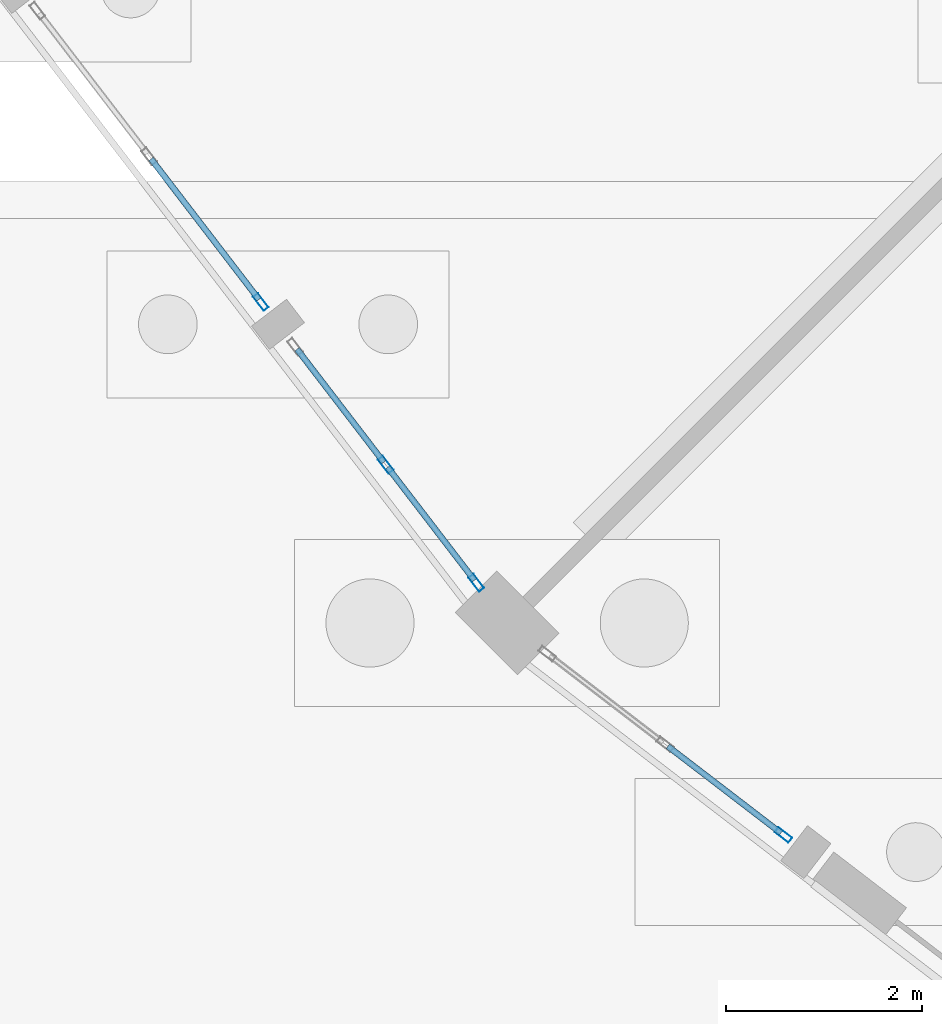
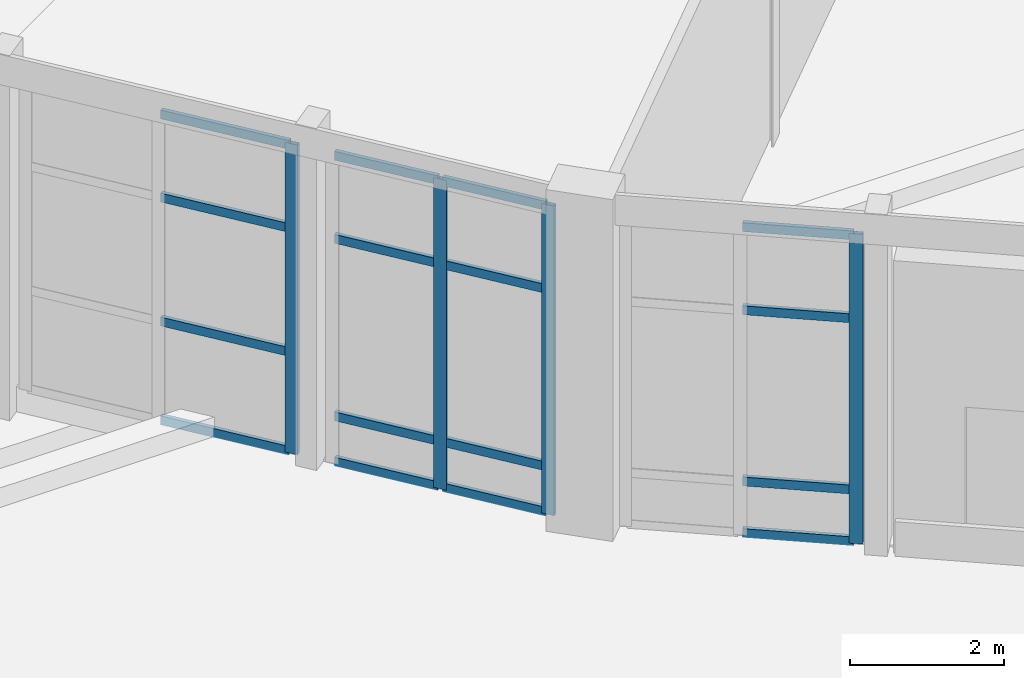
# One storey, part 35 of 137: 20 members, 3 elements without a shape of their own.
"""IFC4 building model written with IfcOpenShell, lengths in metres."""

import ifcopenshell
import ifcopenshell.guid

model = None  # the IFC model being written
_history = None  # IfcOwnerHistory: only IFC2X3 demands one
_inside = {}  # id of a spatial element -> (the spatial element, [elements in it])
_under = {}  # id of a project, library or spatial element -> (it, [spatial elements below it])
_declared = {}  # id of a project -> (the project, [libraries it declares])
_typed = {}  # id of a type object -> (the type object, [elements of that type])
_made_of = {}  # id of a material, layer set ... -> (it, [elements and type objects made of it])


def new_model(schema):
    """Start an empty IFC model of exactly this schema.

    Asked for "IFC4X3", IfcOpenShell would pick the latest addendum, in which some entities
    have other attributes; the version numbers below select the first issue.
    IFC2X3 requires an IfcOwnerHistory on every rooted entity: one is made here for all.
    """
    global model, _history
    if schema == "IFC4X3":
        model = ifcopenshell.file(schema_version=(4, 3, 0, 0))
    else:
        model = ifcopenshell.file(schema=schema)
    _inside.clear()
    _under.clear()
    _declared.clear()
    _typed.clear()
    _made_of.clear()
    _history = None
    if model.schema == "IFC2X3":
        org = make("IfcOrganization", Name="unknown")
        user = make(
            "IfcPersonAndOrganization",
            ThePerson=make("IfcPerson", FamilyName="unknown"),
            TheOrganization=org,
        )
        app = make(
            "IfcApplication",
            ApplicationDeveloper=org,
            Version="unknown",
            ApplicationFullName="unknown",
            ApplicationIdentifier="unknown",
        )
        _history = make(
            "IfcOwnerHistory",
            OwningUser=user,
            OwningApplication=app,
            ChangeAction="ADDED",
            CreationDate=0,
        )
    return model


def make(cls, **values):
    """One entity of the class cls with the attributes given. An attribute that is None is left unset."""
    return model.create_entity(
        cls, **{name: value for name, value in values.items() if value is not None}
    )


def rooted(cls, **values):
    """An entity with a GlobalId (a new one), such as an element, a storey or a relation."""
    return make(cls, GlobalId=ifcopenshell.guid.new(), OwnerHistory=_history, **values)


def si_unit(unit_type, name, prefix=None):
    """IfcSIUnit, for example si_unit("LENGTHUNIT", "METRE", prefix="MILLI")."""
    return make("IfcSIUnit", UnitType=unit_type, Prefix=prefix, Name=name)


def assignment(units):
    """IfcUnitAssignment: the units of a project."""
    return None if units is None else make("IfcUnitAssignment", Units=units)


def point(xyz):
    """IfcCartesianPoint."""
    return None if xyz is None else make("IfcCartesianPoint", Coordinates=xyz)


def direction(xyz):
    """IfcDirection."""
    return None if xyz is None else make("IfcDirection", DirectionRatios=xyz)


def frame(location, z_axis=None, x_axis=None):
    """IfcAxis2Placement3D, a coordinate frame: its origin and axes. An axis left out is left unset."""
    return make(
        "IfcAxis2Placement3D",
        Location=point(location),
        Axis=direction(z_axis),
        RefDirection=direction(x_axis),
    )


def frame_2d(location, x_axis=None):
    """IfcAxis2Placement2D, a coordinate frame in the plane: its origin and x axis."""
    return make(
        "IfcAxis2Placement2D", Location=point(location), RefDirection=direction(x_axis)
    )


def origin():
    """The frame at (0, 0, 0) with its axes left unset."""
    return frame((0.0, 0.0, 0.0))


def origin_2d():
    """The frame at (0, 0) in the plane with its x axis left unset."""
    return frame_2d((0.0, 0.0))


def place(relative_to, where):
    """IfcLocalPlacement: puts the frame where relative to a parent placement (None: the world)."""
    return make(
        "IfcLocalPlacement", PlacementRelTo=relative_to, RelativePlacement=where
    )


def context(
    kind, dimensions, precision=None, world=None, true_north=None, identifier=None
):
    """IfcGeometricRepresentationContext, for example the 3D "Model" context."""
    return make(
        "IfcGeometricRepresentationContext",
        ContextIdentifier=identifier,
        ContextType=kind,
        CoordinateSpaceDimension=dimensions,
        Precision=precision,
        WorldCoordinateSystem=world,
        TrueNorth=true_north,
    )


def subcontext(parent, identifier, kind, view, scale=None):
    """IfcGeometricRepresentationSubContext, for example "Body" below "Model"."""
    return make(
        "IfcGeometricRepresentationSubContext",
        ContextIdentifier=identifier,
        ContextType=kind,
        ParentContext=parent,
        TargetScale=scale,
        TargetView=view,
    )


def project(units=None, contexts=None):
    """IfcProject with its units and contexts."""
    return rooted(
        "IfcProject",
        Name="project",
        RepresentationContexts=contexts,
        UnitsInContext=assignment(units),
    )


def spatial(cls, under=None, at=None, **own):
    """A site, building, storey or space (cls), placed at a placement, below another one or the project."""
    s = rooted(cls, ObjectPlacement=at, **own)
    if under is not None:
        _under.setdefault(under.id(), (under, []))[1].append(s)
    return s


def profile(cls, at=None, kind="AREA", **sizes):
    """A parametric profile (cls). Its sizes go by their IFC names, for example OverallWidth=200.0."""
    return make(cls, ProfileType=kind, Position=at, **sizes)


def hollow_rectangle(**sizes):
    """IfcRectangleHollowProfileDef."""
    return profile("IfcRectangleHollowProfileDef", **sizes)


def extrude(swept, where, along, depth):
    """IfcExtrudedAreaSolid: the profile swept, set in the frame where, extruded along a direction by depth."""
    return make(
        "IfcExtrudedAreaSolid",
        SweptArea=swept,
        Position=where,
        ExtrudedDirection=direction(along),
        Depth=depth,
    )


def shape(context_of_items, identifier, shape_type, items):
    """IfcShapeRepresentation: the items that make up one representation, for example the "Body"."""
    return make(
        "IfcShapeRepresentation",
        ContextOfItems=context_of_items,
        RepresentationIdentifier=identifier,
        RepresentationType=shape_type,
        Items=items,
    )


def material(Name=None, Category=None):
    """IfcMaterial."""
    return make("IfcMaterial", Name=Name, Category=Category)


def material_profile(
    of_material, cross_section, Name=None, Category=None, Priority=None
):
    """IfcMaterialProfile: a cross section and its material."""
    return make(
        "IfcMaterialProfile",
        Name=Name,
        Material=of_material,
        Profile=cross_section,
        Priority=Priority,
        Category=Category,
    )


def profile_set(profiles, Name=None, composite=None):
    """IfcMaterialProfileSet."""
    return make(
        "IfcMaterialProfileSet",
        Name=Name,
        MaterialProfiles=profiles,
        CompositeProfile=composite,
    )


def made_of(thing, what):
    """Note that an element or type object is made of a material, layer set ...; save() writes the relation."""
    if what is not None:
        _made_of.setdefault(what.id(), (what, []))[1].append(thing)
    return thing


def type_object(cls, material=None, **own):
    """A type object (cls), such as IfcWallType, which elements share."""
    return made_of(rooted(cls, **own), material)


def element(
    cls,
    number,
    at=None,
    inside=None,
    cuts=None,
    type_object=None,
    material=None,
    context=None,
    identifier="Body",
    shape_type=None,
    held_by="IfcProductDefinitionShape",
    body=None,
    shapes=None,
    **own,
):
    """One element of the class cls, such as IfcWall. Its Tag is "e" and its number.

    at: its placement. inside: the storey or other place that contains it. cuts: it is an
    opening in that element (IfcRelVoidsElement). A single representation is given by context,
    identifier, shape_type and body (its items); several are given by shapes. held_by: the class
    of the entity that holds the representations. save() writes the other relations.
    """
    e = rooted(cls, Tag="e%d" % number, ObjectPlacement=at, **own)
    if body is not None:
        shapes = [shape(context, identifier, shape_type, body)]
    if shapes is not None:
        e.Representation = make(held_by, Representations=shapes)
    if inside is not None:
        _inside.setdefault(inside.id(), (inside, []))[1].append(e)
    if cuts is not None:
        rooted(
            "IfcRelVoidsElement", RelatingBuildingElement=cuts, RelatedOpeningElement=e
        )
    if type_object is not None:
        _typed.setdefault(type_object.id(), (type_object, []))[1].append(e)
    return made_of(e, material)


def aggregate(whole, parts):
    """IfcRelAggregates: a whole, such as a stair, and the parts it consists of."""
    return rooted("IfcRelAggregates", RelatingObject=whole, RelatedObjects=parts)


def save(model, path):
    """Write the relations noted so far, then the file.

    IfcRelAggregates (storeys below a building ...), IfcRelContainedInSpatialStructure (elements
    in a storey), IfcRelDefinesByType, IfcRelAssociatesMaterial and IfcRelDeclares: one each for
    every whole, place, type object, material and project.
    """
    for whole, parts in _under.values():
        aggregate(whole, parts)
    for where, things in _inside.values():
        rooted(
            "IfcRelContainedInSpatialStructure",
            RelatedElements=things,
            RelatingStructure=where,
        )
    for kind, things in _typed.values():
        rooted("IfcRelDefinesByType", RelatedObjects=things, RelatingType=kind)
    for what, things in _made_of.values():
        rooted("IfcRelAssociatesMaterial", RelatedObjects=things, RelatingMaterial=what)
    for by, libraries in _declared.values():
        rooted("IfcRelDeclares", RelatingContext=by, RelatedDefinitions=libraries)
    model.write(path)


model = new_model("IFC4")

# Units and contexts
model_context = context("Model", 3, precision=1e-05, world=origin(), true_north=direction((0.0, 1.0)))
body_context = subcontext(model_context, "Body", "Model", "MODEL_VIEW")
ifc_project = project(units=[si_unit("LENGTHUNIT", "METRE"), si_unit("AREAUNIT", "SQUARE_METRE"), si_unit("VOLUMEUNIT", "CUBIC_METRE"), si_unit("PLANEANGLEUNIT", "RADIAN"), si_unit("MASSUNIT", "GRAM", prefix="KILO")], contexts=[model_context])

# Site, building, storey
site_placement = place(None, origin())
site = spatial("IfcSite", under=ifc_project, at=site_placement, CompositionType="ELEMENT")
building_placement = place(site_placement, origin())
building = spatial("IfcBuilding", under=site, at=building_placement, Name="Vondelvale Polytechnic", CompositionType="ELEMENT")
storey_placement = place(building_placement, origin())
storey = spatial("IfcBuildingStorey", under=building, at=storey_placement, Name="L00", CompositionType="ELEMENT", Elevation=0.0)

# Curtain wall, member
ifc_material_1 = material(Name="Glulam GL18 structural Tasmanian oak (fb = 42 MPa)", Category="wood")
curtain_wall_type = type_object("IfcCurtainWallType", Name="CW-RING-OUTER", PredefinedType="NOTDEFINED", material=ifc_material_1)
curtain_wall_1_placement = place(storey_placement, origin())
curtain_wall_1 = element("IfcCurtainWall", 1, at=curtain_wall_1_placement, inside=storey, type_object=curtain_wall_type, Name="L00 architectural curtain wall CW-04-296", PredefinedType="NOTDEFINED")
ifc_material_2 = material(Name="Anodised extruded aluminium 6063-T6", Category="aluminium")
ifc_material_profile_1 = material_profile(ifc_material_2, hollow_rectangle(XDim=0.06494140625, YDim=0.179931640625, WallThickness=0.00390625, at=origin_2d()), Name="CW-MUL-180x65")
ifc_profile_set_1 = profile_set([ifc_material_profile_1], Name="Anodised extruded aluminium 6063-T6")
member_type_1 = type_object("IfcMemberType", Name="CW-MUL-65x180", PredefinedType="MULLION", material=ifc_profile_set_1)
member_1_placement = place(storey_placement, frame((66.958740234375, 42.749755859375, 0.0), z_axis=(0.0, 0.0, 1.0), x_axis=(0.793345851043, 0.608771189063, 0.0)))
member_1 = element("IfcMember", 2, at=member_1_placement, type_object=member_type_1, Name="CW-04-296 mullion 3", PredefinedType="MULLION", context=body_context, shape_type="SweptSolid", body=[
    extrude(hollow_rectangle(XDim=0.06494140625, YDim=0.179931640625, WallThickness=0.00390625, at=origin_2d()), origin(), (0.0, 0.0, 1.0), 4.919921875),
])

# Curtain wall, members
curtain_wall_2_placement = place(storey_placement, origin())
curtain_wall_2 = element("IfcCurtainWall", 3, at=curtain_wall_2_placement, inside=storey, type_object=curtain_wall_type, Name="L00 architectural curtain wall CW-04-297", PredefinedType="NOTDEFINED")
member_2_placement = place(storey_placement, frame((68.233642578125, 41.088134765625, 0.0), z_axis=(0.0, 0.0, 1.0), x_axis=(0.793351666305, 0.608763610584, 0.0)))
member_2 = element("IfcMember", 4, at=member_2_placement, type_object=member_type_1, Name="CW-04-297 mullion 2", PredefinedType="MULLION", context=body_context, shape_type="SweptSolid", body=[
    extrude(hollow_rectangle(XDim=0.06494140625, YDim=0.179931640625, WallThickness=0.00390625, at=origin_2d()), origin(), (0.0, 0.0, 1.0), 4.919921875),
])
member_3_placement = place(storey_placement, frame((69.15869140625, 39.8828125, 0.0), z_axis=(0.0, 0.0, 1.0), x_axis=(0.793351666305, 0.608763610584, 0.0)))
member_3 = element("IfcMember", 5, at=member_3_placement, type_object=member_type_1, Name="CW-04-297 mullion 3", PredefinedType="MULLION", context=body_context, shape_type="SweptSolid", body=[
    extrude(hollow_rectangle(XDim=0.06494140625, YDim=0.179931640625, WallThickness=0.00390625, at=origin_2d()), origin(), (0.0, 0.0, 1.0), 4.919921875),
])

# Curtain wall, member
curtain_wall_3_placement = place(storey_placement, origin())
curtain_wall_3 = element("IfcCurtainWall", 6, at=curtain_wall_3_placement, inside=storey, type_object=curtain_wall_type, Name="L00 architectural curtain wall CW-04-315", PredefinedType="NOTDEFINED")
member_4_placement = place(storey_placement, frame((72.293701171875, 37.308837890625, 0.0), z_axis=(0.0, 0.0, 1.0), x_axis=(0.608763610584, 0.793351666305, 0.0)))
member_4 = element("IfcMember", 7, at=member_4_placement, type_object=member_type_1, Name="CW-04-315 mullion 3", PredefinedType="MULLION", context=body_context, shape_type="SweptSolid", body=[
    extrude(hollow_rectangle(XDim=0.06494140625, YDim=0.179931640625, WallThickness=0.00390625, at=origin_2d()), origin(), (0.0, 0.0, 1.0), 4.919921875),
])

# Member
ifc_material_profile_2 = material_profile(ifc_material_2, hollow_rectangle(XDim=0.06005859375, YDim=0.139892578125, WallThickness=0.00341796875, at=origin_2d()), Name="CW-TRN-140x60")
ifc_profile_set_2 = profile_set([ifc_material_profile_2], Name="Anodised extruded aluminium 6063-T6")
member_type_2 = type_object("IfcMemberType", Name="CW-TRN-60x140", PredefinedType="USERDEFINED", material=ifc_profile_set_2)
member_5_placement = place(storey_placement, frame((65.837646484375, 44.210693359375, 0.030029296875), z_axis=(0.608816809849, -0.793310842007, 0.0), x_axis=(0.793310842007, 0.608816809849, 0.0)))
member_5 = element("IfcMember", 8, at=member_5_placement, type_object=member_type_2, Name="CW-04-296 transom 2.1", ObjectType="TRANSOM", PredefinedType="USERDEFINED", context=body_context, shape_type="SweptSolid", body=[
    extrude(hollow_rectangle(XDim=0.06005859375, YDim=0.139892578125, WallThickness=0.00341796875, at=origin_2d()), origin(), (0.0, 0.0, 1.0), 1.808837890625),
])

member_6_placement = place(storey_placement, frame((65.837646484375, 44.210693359375, 1.60009765625), z_axis=(0.608816809849, -0.793310842007, 0.0), x_axis=(0.793310842007, 0.608816809849, 0.0)))
member_6 = element("IfcMember", 9, at=member_6_placement, type_object=member_type_2, Name="CW-04-296 transom 2.2", ObjectType="TRANSOM", PredefinedType="USERDEFINED", context=body_context, shape_type="SweptSolid", body=[
    extrude(hollow_rectangle(XDim=0.06005859375, YDim=0.139892578125, WallThickness=0.00341796875, at=origin_2d()), origin(), (0.0, 0.0, 1.0), 1.808837890625),
])

member_7_placement = place(storey_placement, frame((65.837646484375, 44.210693359375, 3.570068359375), z_axis=(0.608816809849, -0.793310842007, 0.0), x_axis=(0.793310842007, 0.608816809849, 0.0)))
member_7 = element("IfcMember", 10, at=member_7_placement, type_object=member_type_2, Name="CW-04-296 transom 2.3", ObjectType="TRANSOM", PredefinedType="USERDEFINED", context=body_context, shape_type="SweptSolid", body=[
    extrude(hollow_rectangle(XDim=0.06005859375, YDim=0.139892578125, WallThickness=0.00341796875, at=origin_2d()), origin(), (0.0, 0.0, 1.0), 1.808837890625),
])

member_8_placement = place(storey_placement, frame((65.837646484375, 44.210693359375, 4.889892578125), z_axis=(0.608816809849, -0.793310842007, 0.0), x_axis=(0.793310842007, 0.608816809849, 0.0)))
member_8 = element("IfcMember", 11, at=member_8_placement, type_object=member_type_2, Name="CW-04-296 transom 2.4", ObjectType="TRANSOM", PredefinedType="USERDEFINED", context=body_context, shape_type="SweptSolid", body=[
    extrude(hollow_rectangle(XDim=0.06005859375, YDim=0.139892578125, WallThickness=0.00341796875, at=origin_2d()), origin(), (0.0, 0.0, 1.0), 1.808837890625),
])

aggregate(curtain_wall_1, [member_1, member_5, member_6, member_7, member_8])

member_9_placement = place(storey_placement, frame((67.32861328125, 42.267822265625, 0.030029296875), z_axis=(0.608720500097, -0.793384744473, 0.0), x_axis=(0.793384744473, 0.608720500097, 0.0)))
member_9 = element("IfcMember", 12, at=member_9_placement, type_object=member_type_2, Name="CW-04-297 transom 1.1", ObjectType="TRANSOM", PredefinedType="USERDEFINED", context=body_context, shape_type="SweptSolid", body=[
    extrude(hollow_rectangle(XDim=0.06005859375, YDim=0.139892578125, WallThickness=0.00341796875, at=origin_2d()), origin(), (0.0, 0.0, 1.0), 1.454345703125),
])

member_10_placement = place(storey_placement, frame((67.32861328125, 42.267822265625, 0.75), z_axis=(0.608720500097, -0.793384744473, 0.0), x_axis=(0.793384744473, 0.608720500097, 0.0)))
member_10 = element("IfcMember", 13, at=member_10_placement, type_object=member_type_2, Name="CW-04-297 transom 1.2", ObjectType="TRANSOM", PredefinedType="USERDEFINED", context=body_context, shape_type="SweptSolid", body=[
    extrude(hollow_rectangle(XDim=0.06005859375, YDim=0.139892578125, WallThickness=0.00341796875, at=origin_2d()), origin(), (0.0, 0.0, 1.0), 1.454345703125),
])

member_11_placement = place(storey_placement, frame((67.32861328125, 42.267822265625, 3.570068359375), z_axis=(0.608720500097, -0.793384744473, 0.0), x_axis=(0.793384744473, 0.608720500097, 0.0)))
member_11 = element("IfcMember", 14, at=member_11_placement, type_object=member_type_2, Name="CW-04-297 transom 1.3", ObjectType="TRANSOM", PredefinedType="USERDEFINED", context=body_context, shape_type="SweptSolid", body=[
    extrude(hollow_rectangle(XDim=0.06005859375, YDim=0.139892578125, WallThickness=0.00341796875, at=origin_2d()), origin(), (0.0, 0.0, 1.0), 1.454345703125),
])

member_12_placement = place(storey_placement, frame((67.32861328125, 42.267822265625, 4.889892578125), z_axis=(0.608720500097, -0.793384744473, 0.0), x_axis=(0.793384744473, 0.608720500097, 0.0)))
member_12 = element("IfcMember", 15, at=member_12_placement, type_object=member_type_2, Name="CW-04-297 transom 1.4", ObjectType="TRANSOM", PredefinedType="USERDEFINED", context=body_context, shape_type="SweptSolid", body=[
    extrude(hollow_rectangle(XDim=0.06005859375, YDim=0.139892578125, WallThickness=0.00341796875, at=origin_2d()), origin(), (0.0, 0.0, 1.0), 1.454345703125),
])

member_13_placement = place(storey_placement, frame((68.25341796875, 41.0625, 0.030029296875), z_axis=(0.608826155387, -0.793303669799, 0.0), x_axis=(0.793303669799, 0.608826155387, 0.0)))
member_13 = element("IfcMember", 16, at=member_13_placement, type_object=member_type_2, Name="CW-04-297 transom 2.1", ObjectType="TRANSOM", PredefinedType="USERDEFINED", context=body_context, shape_type="SweptSolid", body=[
    extrude(hollow_rectangle(XDim=0.06005859375, YDim=0.139892578125, WallThickness=0.00341796875, at=origin_2d()), origin(), (0.0, 0.0, 1.0), 1.454345703125),
])

member_14_placement = place(storey_placement, frame((68.25341796875, 41.0625, 0.75), z_axis=(0.608826155387, -0.793303669799, 0.0), x_axis=(0.793303669799, 0.608826155387, 0.0)))
member_14 = element("IfcMember", 17, at=member_14_placement, type_object=member_type_2, Name="CW-04-297 transom 2.2", ObjectType="TRANSOM", PredefinedType="USERDEFINED", context=body_context, shape_type="SweptSolid", body=[
    extrude(hollow_rectangle(XDim=0.06005859375, YDim=0.139892578125, WallThickness=0.00341796875, at=origin_2d()), origin(), (0.0, 0.0, 1.0), 1.454345703125),
])

member_15_placement = place(storey_placement, frame((68.25341796875, 41.0625, 3.570068359375), z_axis=(0.608826155387, -0.793303669799, 0.0), x_axis=(0.793303669799, 0.608826155387, 0.0)))
member_15 = element("IfcMember", 18, at=member_15_placement, type_object=member_type_2, Name="CW-04-297 transom 2.3", ObjectType="TRANSOM", PredefinedType="USERDEFINED", context=body_context, shape_type="SweptSolid", body=[
    extrude(hollow_rectangle(XDim=0.06005859375, YDim=0.139892578125, WallThickness=0.00341796875, at=origin_2d()), origin(), (0.0, 0.0, 1.0), 1.454345703125),
])

member_16_placement = place(storey_placement, frame((68.25341796875, 41.0625, 4.889892578125), z_axis=(0.608826155387, -0.793303669799, 0.0), x_axis=(0.793303669799, 0.608826155387, 0.0)))
member_16 = element("IfcMember", 19, at=member_16_placement, type_object=member_type_2, Name="CW-04-297 transom 2.4", ObjectType="TRANSOM", PredefinedType="USERDEFINED", context=body_context, shape_type="SweptSolid", body=[
    extrude(hollow_rectangle(XDim=0.06005859375, YDim=0.139892578125, WallThickness=0.00341796875, at=origin_2d()), origin(), (0.0, 0.0, 1.0), 1.454345703125),
])

aggregate(curtain_wall_2, [member_2, member_3, member_9, member_10, member_11, member_12, member_13, member_14, member_15, member_16])

member_17_placement = place(storey_placement, frame((71.114013671875, 38.2138671875, 0.030029296875), z_axis=(0.793384744473, -0.608720500097, 0.0), x_axis=(0.608720500097, 0.793384744473, 0.0)))
member_17 = element("IfcMember", 20, at=member_17_placement, type_object=member_type_2, Name="CW-04-315 transom 2.1", ObjectType="TRANSOM", PredefinedType="USERDEFINED", context=body_context, shape_type="SweptSolid", body=[
    extrude(hollow_rectangle(XDim=0.06005859375, YDim=0.139892578125, WallThickness=0.00341796875, at=origin_2d()), origin(), (0.0, 0.0, 1.0), 1.454345703125),
])

member_18_placement = place(storey_placement, frame((71.114013671875, 38.2138671875, 0.85009765625), z_axis=(0.793384744473, -0.608720500097, 0.0), x_axis=(0.608720500097, 0.793384744473, 0.0)))
member_18 = element("IfcMember", 21, at=member_18_placement, type_object=member_type_2, Name="CW-04-315 transom 2.2", ObjectType="TRANSOM", PredefinedType="USERDEFINED", context=body_context, shape_type="SweptSolid", body=[
    extrude(hollow_rectangle(XDim=0.06005859375, YDim=0.139892578125, WallThickness=0.00341796875, at=origin_2d()), origin(), (0.0, 0.0, 1.0), 1.454345703125),
])

member_19_placement = place(storey_placement, frame((71.114013671875, 38.2138671875, 3.570068359375), z_axis=(0.793384744473, -0.608720500097, 0.0), x_axis=(0.608720500097, 0.793384744473, 0.0)))
member_19 = element("IfcMember", 22, at=member_19_placement, type_object=member_type_2, Name="CW-04-315 transom 2.3", ObjectType="TRANSOM", PredefinedType="USERDEFINED", context=body_context, shape_type="SweptSolid", body=[
    extrude(hollow_rectangle(XDim=0.06005859375, YDim=0.139892578125, WallThickness=0.00341796875, at=origin_2d()), origin(), (0.0, 0.0, 1.0), 1.454345703125),
])

member_20_placement = place(storey_placement, frame((71.114013671875, 38.2138671875, 4.889892578125), z_axis=(0.793384744473, -0.608720500097, 0.0), x_axis=(0.608720500097, 0.793384744473, 0.0)))
member_20 = element("IfcMember", 23, at=member_20_placement, type_object=member_type_2, Name="CW-04-315 transom 2.4", ObjectType="TRANSOM", PredefinedType="USERDEFINED", context=body_context, shape_type="SweptSolid", body=[
    extrude(hollow_rectangle(XDim=0.06005859375, YDim=0.139892578125, WallThickness=0.00341796875, at=origin_2d()), origin(), (0.0, 0.0, 1.0), 1.454345703125),
])

aggregate(curtain_wall_3, [member_4, member_17, member_18, member_19, member_20])

save(model, "model.ifc")
